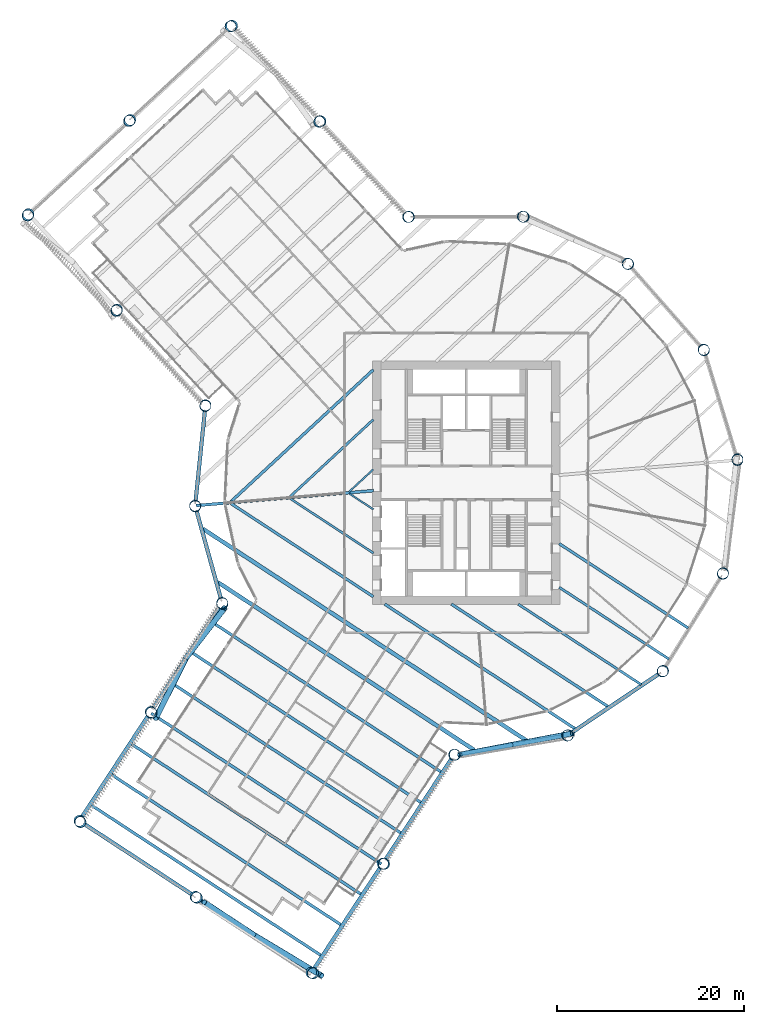
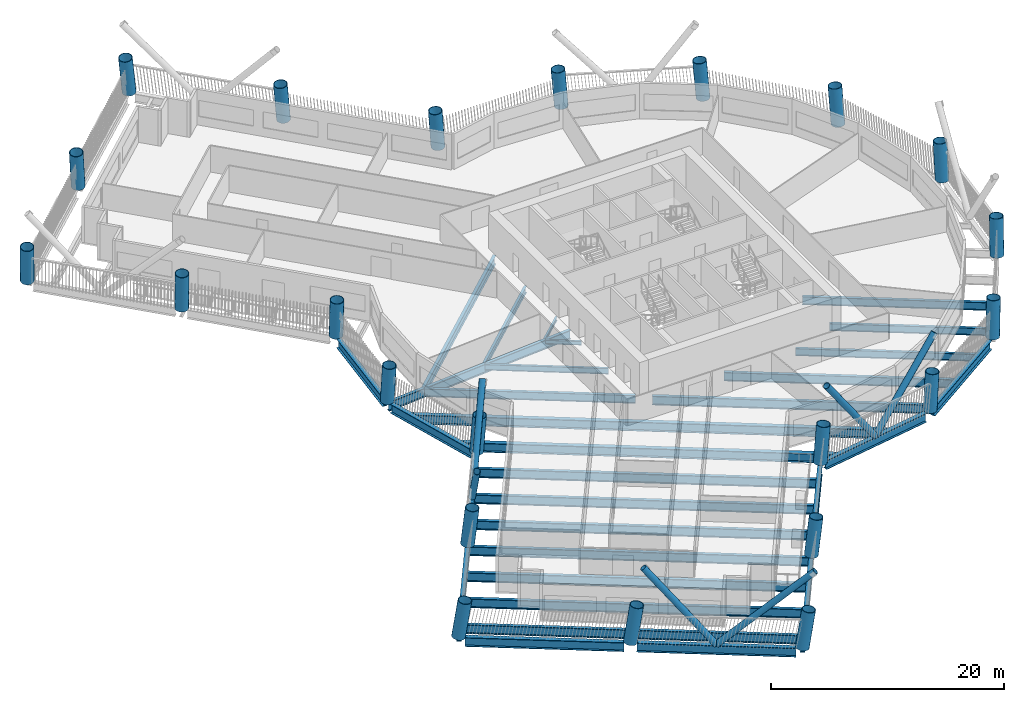
# One storey, part 1 of 22: 31 beams, 22 columns, 6 members.
"""IFC4 building model written with IfcOpenShell, lengths in metres."""

from ifc_helpers import new_model, si_unit, direction, frame, origin, origin_2d, place, context, subcontext, project, spatial, hollow_circle, i_section, extrude, material, material_profile, profile_set, type_object, element, save


model = new_model("IFC4")

# Units and contexts
model_context = context("Model", 3, precision=1e-05, world=origin(), true_north=direction((0.0, 1.0)))
body_context = subcontext(model_context, "Body", "Model", "MODEL_VIEW")
ifc_project = project(units=[si_unit("LENGTHUNIT", "METRE"), si_unit("AREAUNIT", "SQUARE_METRE"), si_unit("VOLUMEUNIT", "CUBIC_METRE"), si_unit("PLANEANGLEUNIT", "RADIAN"), si_unit("MASSUNIT", "GRAM", prefix="KILO")], contexts=[model_context])

# Site, building, storey
site_placement = place(None, origin())
site = spatial("IfcSite", under=ifc_project, at=site_placement, CompositionType="ELEMENT")
building_placement = place(site_placement, origin())
building = spatial("IfcBuilding", under=site, at=building_placement, Name="Tarsis Ring Headquarters", CompositionType="ELEMENT")
storey_placement = place(building_placement, frame((0.0, 0.0, 63.39990234375)))
storey = spatial("IfcBuildingStorey", under=building, at=storey_placement, Name="L13", CompositionType="ELEMENT", Elevation=63.39990234375)

# Columns
ifc_material_1 = material(Name="Structural steel S460", Category="steel")
ifc_material_profile_1 = material_profile(ifc_material_1, hollow_circle(Radius=0.609619140625, WallThickness=0.050048828125, at=origin_2d()), Name="CHS 1219x50")
ifc_profile_set_1 = profile_set([ifc_material_profile_1], Name="Structural steel S460")
column_type = type_object("IfcColumnType", Name="XC Exo column CHS 1219x50", PredefinedType="COLUMN", material=ifc_profile_set_1)
for number, where, z_axis, x_axis, name in (
    (1, (-28.946533203125, -2.4306640625, 0.000732421875), (0.006867477499, -0.077477632509, 0.996970437984), (0.996094632746, 0.0882920303, 0.0), "Exo column XC1 F1"),
    (2, (-26.07080078125, -12.8115234375, 0.000732421875), (0.034711964999, -0.069611224773, 0.996970088253), (0.894908237416, 0.446250206281, 0.0), "Exo column XC1 AK"),
):
    element("IfcColumn", number, at=place(storey_placement, frame(where, z_axis=z_axis, x_axis=x_axis)), inside=storey, type_object=column_type, Name=name, PredefinedType="COLUMN", context=body_context, shape_type="SweptSolid", body=[
        extrude(hollow_circle(Radius=0.609619140625, WallThickness=0.050048828125, at=origin_2d()), origin(), (0.0, 0.0, 1.0), 3.91064453125),
    ])
column_1_placement = place(storey_placement, frame((-33.68310546875, -24.4443359375, 0.0009765625), z_axis=(0.065722945464, -0.089559960723, 0.993810599599), x_axis=(0.806209023764, 0.591630805487, 0.0)))
element("IfcColumn", 3, at=column_1_placement, inside=storey, type_object=column_type, Name="Exo column XC1 AI1", PredefinedType="COLUMN", context=body_context, shape_type="SweptSolid", body=[
    extrude(hollow_circle(Radius=0.609619140625, WallThickness=0.050048828125, at=origin_2d()), origin(), (0.0, 0.0, 1.0), 3.922607421875),
])
column_2_placement = place(storey_placement, frame((-41.29541015625, -36.077392578125, 0.0009765625), z_axis=(0.096411760484, -0.109175785329, 0.989335848101), x_axis=(0.749564671148, 0.661931117086, 0.0)))
element("IfcColumn", 4, at=column_2_placement, inside=storey, type_object=column_type, Name="Exo column XC1 AT1", PredefinedType="COLUMN", context=body_context, shape_type="SweptSolid", body=[
    extrude(hollow_circle(Radius=0.609619140625, WallThickness=0.050048828125, at=origin_2d()), origin(), (0.0, 0.0, 1.0), 3.940185546875),
])
column_3_placement = place(storey_placement, frame((-28.9111328125, -44.18115234375, 0.0009765625), z_axis=(0.117817594443, -0.076271390087, 0.990101858141), x_axis=(0.543434457487, 0.839451600996, 0.0)))
element("IfcColumn", 5, at=column_3_placement, inside=storey, type_object=column_type, Name="Exo column XC1 AT2", PredefinedType="COLUMN", context=body_context, shape_type="SweptSolid", body=[
    extrude(hollow_circle(Radius=0.609619140625, WallThickness=0.050048828125, at=origin_2d()), origin(), (0.0, 0.0, 1.0), 3.937255859375),
])
column_4_placement = place(storey_placement, frame((-16.527099609375, -52.28515625, 0.0009765625), z_axis=(0.139103071883, -0.043187011627, 0.989335745548), x_axis=(0.29650625598, 0.955030910581, 0.0)))
element("IfcColumn", 6, at=column_4_placement, inside=storey, type_object=column_type, Name="Exo column XC1 AT3", PredefinedType="COLUMN", context=body_context, shape_type="SweptSolid", body=[
    extrude(hollow_circle(Radius=0.609619140625, WallThickness=0.050048828125, at=origin_2d()), origin(), (0.0, 0.0, 1.0), 3.940185546875),
])
column_5_placement = place(storey_placement, frame((-8.914794921875, -40.652099609375, 0.0009765625), z_axis=(0.108604878961, -0.023276919617, 0.993812439688), x_axis=(0.209567355728, 0.977794213223, 0.0)))
element("IfcColumn", 7, at=column_5_placement, inside=storey, type_object=column_type, Name="Exo column XC1 AO1", PredefinedType="COLUMN", context=body_context, shape_type="SweptSolid", body=[
    extrude(hollow_circle(Radius=0.609619140625, WallThickness=0.050048828125, at=origin_2d()), origin(), (0.0, 0.0, 1.0), 3.922607421875),
])
column_6_placement = place(storey_placement, frame((-1.302490234375, -29.019287109375, 0.000732421875), z_axis=(0.077727321851, -0.003059147607, 0.996969961962), x_axis=(0.039326982614, 0.999226394987, 0.0)))
element("IfcColumn", 8, at=column_6_placement, inside=storey, type_object=column_type, Name="Exo column XC1 AJ", PredefinedType="COLUMN", context=body_context, shape_type="SweptSolid", body=[
    extrude(hollow_circle(Radius=0.609619140625, WallThickness=0.050048828125, at=origin_2d()), origin(), (0.0, 0.0, 1.0), 3.91064453125),
])
column_7_placement = place(storey_placement, frame((10.77490234375, -26.976318359375, 0.000732421875), z_axis=(0.072046284451, 0.02921807723, 0.996973237785), x_axis=(-0.375816945489, 0.926693921143, 0.0)))
element("IfcColumn", 9, at=column_7_placement, inside=storey, type_object=column_type, Name="Exo column XC1 R1", PredefinedType="COLUMN", context=body_context, shape_type="SweptSolid", body=[
    extrude(hollow_circle(Radius=0.609619140625, WallThickness=0.050048828125, at=origin_2d()), origin(), (0.0, 0.0, 1.0), 3.910400390625),
])
column_8_placement = place(storey_placement, frame((20.936279296875, -20.13671875, 0.000732421875), z_axis=(0.053628828846, 0.056313391874, 0.996971790279), x_axis=(-0.724157023143, 0.689635125144, 0.0)))
element("IfcColumn", 10, at=column_8_placement, inside=storey, type_object=column_type, Name="Exo column XC1 R2", PredefinedType="COLUMN", context=body_context, shape_type="SweptSolid", body=[
    extrude(hollow_circle(Radius=0.609619140625, WallThickness=0.050048828125, at=origin_2d()), origin(), (0.0, 0.0, 1.0), 3.91064453125),
])
column_9_placement = place(storey_placement, frame((27.375244140625, -9.716796875, 0.000732421875), z_axis=(0.025597016709, 0.073419735732, 0.996972584949), x_axis=(-0.944258238661, 0.329205678445, 0.0)))
element("IfcColumn", 11, at=column_9_placement, inside=storey, type_object=column_type, Name="Exo column XC1 R3", PredefinedType="COLUMN", context=body_context, shape_type="SweptSolid", body=[
    extrude(hollow_circle(Radius=0.609619140625, WallThickness=0.050048828125, at=origin_2d()), origin(), (0.0, 0.0, 1.0), 3.910400390625),
])
column_10_placement = place(storey_placement, frame((28.946533203125, 2.4306640625, 0.000732421875), z_axis=(-0.006867477499, 0.077477632509, 0.996970437984), x_axis=(-0.996094632746, -0.0882920303, 0.0)))
element("IfcColumn", 12, at=column_10_placement, inside=storey, type_object=column_type, Name="Exo column XC1 R4", PredefinedType="COLUMN", context=body_context, shape_type="SweptSolid", body=[
    extrude(hollow_circle(Radius=0.609619140625, WallThickness=0.050048828125, at=origin_2d()), origin(), (0.0, 0.0, 1.0), 3.91064453125),
])
column_11_placement = place(storey_placement, frame((25.371337890625, 14.146240234375, 0.000732421875), z_axis=(-0.038270680288, 0.067676048014, 0.996973072633), x_axis=(-0.870458129168, -0.492242466033, 0.0)))
element("IfcColumn", 13, at=column_11_placement, inside=storey, type_object=column_type, Name="Exo column XC1 R5", PredefinedType="COLUMN", context=body_context, shape_type="SweptSolid", body=[
    extrude(hollow_circle(Radius=0.609619140625, WallThickness=0.050048828125, at=origin_2d()), origin(), (0.0, 0.0, 1.0), 3.910400390625),
])
for number, where, z_axis, x_axis, name in (
    (14, (17.284912109375, 23.346435546875, 0.000732421875), (-0.062743827942, 0.045949708821, 0.996971331742), (-0.590841504739, -0.806787652531, 0.0), "Exo column XC1 R6"),
    (15, (6.125, 28.3955078125, 0.000732421875), (-0.076104238458, 0.015982514393, 0.996971766964), (-0.205524923503, -0.978651881835, 0.0), "Exo column XC1 R7"),
):
    element("IfcColumn", number, at=place(storey_placement, frame(where, z_axis=z_axis, x_axis=x_axis)), inside=storey, type_object=column_type, Name=name, PredefinedType="COLUMN", context=body_context, shape_type="SweptSolid", body=[
        extrude(hollow_circle(Radius=0.609619140625, WallThickness=0.050048828125, at=origin_2d()), origin(), (0.0, 0.0, 1.0), 3.91064453125),
    ])
column_12_placement = place(storey_placement, frame((-6.123779296875, 28.395751953125, 0.000732421875), z_axis=(-0.075917014384, -0.016794142162, 0.996972699584), x_axis=(0.21599515075, -0.976394436103, 0.0)))
element("IfcColumn", 16, at=column_12_placement, inside=storey, type_object=column_type, Name="Exo column XC1 BJ", PredefinedType="COLUMN", context=body_context, shape_type="SweptSolid", body=[
    extrude(hollow_circle(Radius=0.609619140625, WallThickness=0.050048828125, at=origin_2d()), origin(), (0.0, 0.0, 1.0), 3.910400390625),
])
column_13_placement = place(storey_placement, frame((-15.569580078125, 38.59619140625, 0.0009765625), z_axis=(-0.102754952884, -0.042072894094, 0.993816527957), x_axis=(0.378916563953, -0.925430838886, 0.0)))
element("IfcColumn", 17, at=column_13_placement, inside=storey, type_object=column_type, Name="Exo column XC1 BO1", PredefinedType="COLUMN", context=body_context, shape_type="SweptSolid", body=[
    extrude(hollow_circle(Radius=0.609619140625, WallThickness=0.050048828125, at=origin_2d()), origin(), (0.0, 0.0, 1.0), 3.922607421875),
])
column_14_placement = place(storey_placement, frame((-25.015380859375, 48.796630859375, 0.0009765625), z_axis=(-0.129312000512, -0.067165408987, 0.989326646947), x_axis=(0.460937642205, -0.887432527012, 0.0)))
element("IfcColumn", 18, at=column_14_placement, inside=storey, type_object=column_type, Name="Exo column XC1 BT3", PredefinedType="COLUMN", context=body_context, shape_type="SweptSolid", body=[
    extrude(hollow_circle(Radius=0.609619140625, WallThickness=0.050048828125, at=origin_2d()), origin(), (0.0, 0.0, 1.0), 3.940185546875),
])
column_15_placement = place(storey_placement, frame((-35.87451171875, 38.740966796875, 0.0009765625), z_axis=(-0.102500771543, -0.095927824306, 0.990096684348), x_axis=(0.683309086055, -0.730129230284, 0.0)))
element("IfcColumn", 19, at=column_15_placement, inside=storey, type_object=column_type, Name="Exo column XC1 BT2", PredefinedType="COLUMN", context=body_context, shape_type="SweptSolid", body=[
    extrude(hollow_circle(Radius=0.609619140625, WallThickness=0.050048828125, at=origin_2d()), origin(), (0.0, 0.0, 1.0), 3.937255859375),
])
column_16_placement = place(storey_placement, frame((-46.73388671875, 28.68505859375, 0.0009765625), z_axis=(-0.075530766475, -0.124542116994, 0.989335314446), x_axis=(0.855043520208, -0.518556244345, 0.0)))
element("IfcColumn", 20, at=column_16_placement, inside=storey, type_object=column_type, Name="Exo column XC1 BT1", PredefinedType="COLUMN", context=body_context, shape_type="SweptSolid", body=[
    extrude(hollow_circle(Radius=0.609619140625, WallThickness=0.050048828125, at=origin_2d()), origin(), (0.0, 0.0, 1.0), 3.940185546875),
])
column_17_placement = place(storey_placement, frame((-37.2880859375, 18.484619140625, 0.0009765625), z_axis=(-0.048794458446, -0.099767240929, 0.993813663854), x_axis=(0.898315556708, -0.439350839962, 0.0)))
element("IfcColumn", 21, at=column_17_placement, inside=storey, type_object=column_type, Name="Exo column XC1 BI1", PredefinedType="COLUMN", context=body_context, shape_type="SweptSolid", body=[
    extrude(hollow_circle(Radius=0.609619140625, WallThickness=0.050048828125, at=origin_2d()), origin(), (0.0, 0.0, 1.0), 3.922607421875),
])
column_18_placement = place(storey_placement, frame((-27.84228515625, 8.2841796875, 0.000732421875), z_axis=(-0.021788631627, -0.074668204657, 0.996970368038), x_axis=(0.959964033565, -0.280123284042, 0.0)))
element("IfcColumn", 22, at=column_18_placement, inside=storey, type_object=column_type, Name="Exo column XC1 BK", PredefinedType="COLUMN", context=body_context, shape_type="SweptSolid", body=[
    extrude(hollow_circle(Radius=0.609619140625, WallThickness=0.050048828125, at=origin_2d()), origin(), (0.0, 0.0, 1.0), 3.91064453125),
])

# Beams
ifc_material_2 = material(Name="Structural steel S355", Category="steel")
ifc_material_profile_2 = material_profile(ifc_material_2, i_section(OverallWidth=0.177734375, OverallDepth=0.406494140625, WebThickness=0.0078125, FlangeThickness=0.0126953125, at=origin_2d()), Name="W16x40")
ifc_profile_set_2 = profile_set([ifc_material_profile_2], Name="Structural steel S355")
beam_type_1 = type_object("IfcBeamType", Name="FB Floor beam W16x40", PredefinedType="JOIST", material=ifc_profile_set_2)
beam_1_placement = place(storey_placement, frame((-12.498046875, -1.143310546875, -0.363037109375), z_axis=(0.83680368874, -0.547503047034, 0.0), x_axis=(0.547503047034, 0.83680368874, 0.0)))
element("IfcBeam", 23, at=beam_1_placement, inside=storey, type_object=beam_type_1, Name="Floor beam FB1", PredefinedType="JOIST", context=body_context, shape_type="SweptSolid", body=[
    extrude(i_section(OverallWidth=0.177734375, OverallDepth=0.406494140625, WebThickness=0.0078125, FlangeThickness=0.0126953125, at=origin_2d()), origin(), (0.0, 0.0, 1.0), 3.085205078125),
])
beam_2_placement = place(storey_placement, frame((-9.926513671875, 1.4384765625, -0.363037109375), z_axis=(-0.733761952496, -0.67940665074, 0.0), x_axis=(0.67940665074, -0.733761952496, 0.0)))
element("IfcBeam", 24, at=beam_2_placement, inside=storey, type_object=beam_type_1, Name="Floor beam FB1", PredefinedType="JOIST", context=body_context, shape_type="SweptSolid", body=[
    extrude(i_section(OverallWidth=0.177734375, OverallDepth=0.406494140625, WebThickness=0.0078125, FlangeThickness=0.0126953125, at=origin_2d()), origin(), (0.0, 0.0, 1.0), 3.52587890625),
])
ifc_material_profile_3 = material_profile(ifc_material_2, i_section(OverallWidth=0.228271484375, OverallDepth=0.607177734375, WebThickness=0.01123046875, FlangeThickness=0.017333984375, at=origin_2d()), Name="W24x76")
ifc_profile_set_3 = profile_set([ifc_material_profile_3], Name="Structural steel S355")
beam_type_2 = type_object("IfcBeamType", Name="FB Floor beam W24x76", PredefinedType="JOIST", material=ifc_profile_set_3)
beam_3_placement = place(storey_placement, frame((-18.810302734375, -1.67333984375, -0.46337890625), z_axis=(0.836765618493, -0.547561229186, 0.0), x_axis=(0.547561229186, 0.836765618493, 0.0)))
element("IfcBeam", 25, at=beam_3_placement, inside=storey, type_object=beam_type_2, Name="Floor beam FB4", PredefinedType="JOIST", context=body_context, shape_type="SweptSolid", body=[
    extrude(i_section(OverallWidth=0.228271484375, OverallDepth=0.607177734375, WebThickness=0.01123046875, FlangeThickness=0.017333984375, at=origin_2d()), origin(), (0.0, 0.0, 1.0), 10.629150390625),
])
ifc_material_profile_4 = material_profile(ifc_material_2, i_section(OverallWidth=0.2529296875, OverallDepth=0.67822265625, WebThickness=0.01171875, FlangeThickness=0.016357421875, at=origin_2d()), Name="W27x84")
ifc_profile_set_4 = profile_set([ifc_material_profile_4], Name="Structural steel S355")
beam_type_3 = type_object("IfcBeamType", Name="FB Floor beam W27x84", PredefinedType="JOIST", material=ifc_profile_set_4)
beam_4_placement = place(storey_placement, frame((-9.926513671875, 6.753662109375, -0.4990234375), z_axis=(-0.733739117576, -0.679431311715, 0.0), x_axis=(0.679431311715, -0.733739117576, 0.0)))
element("IfcBeam", 26, at=beam_4_placement, inside=storey, type_object=beam_type_3, Name="Floor beam FB5", PredefinedType="JOIST", context=body_context, shape_type="SweptSolid", body=[
    extrude(i_section(OverallWidth=0.2529296875, OverallDepth=0.67822265625, WebThickness=0.01171875, FlangeThickness=0.016357421875, at=origin_2d()), origin(), (0.0, 0.0, 1.0), 12.12890625),
])
ifc_material_profile_5 = material_profile(ifc_material_2, i_section(OverallWidth=0.2666015625, OverallDepth=0.7568359375, WebThickness=0.013916015625, FlangeThickness=0.019287109375, at=origin_2d()), Name="W30x108")
ifc_profile_set_5 = profile_set([ifc_material_profile_5], Name="Structural steel S355")
beam_type_4 = type_object("IfcBeamType", Name="FB Floor beam W30x108", PredefinedType="JOIST", material=ifc_profile_set_5)
beam_5_placement = place(storey_placement, frame((9.916259765625, -11.14990234375, -0.538330078125), z_axis=(0.836766058731, -0.547560556428, 0.0), x_axis=(0.547560556428, 0.836766058731, 0.0)))
element("IfcBeam", 27, at=beam_5_placement, inside=storey, type_object=beam_type_4, Name="Floor beam FB6", PredefinedType="JOIST", context=body_context, shape_type="SweptSolid", body=[
    extrude(i_section(OverallWidth=0.2666015625, OverallDepth=0.7568359375, WebThickness=0.013916015625, FlangeThickness=0.019287109375, at=origin_2d()), origin(), (0.0, 0.0, 1.0), 13.991455078125),
])
beam_6_placement = place(storey_placement, frame((5.53759765625, -12.9453125, -0.538330078125), z_axis=(0.836764316998, -0.547563218085, 0.0), x_axis=(0.547563218085, 0.836764316998, 0.0)))
element("IfcBeam", 28, at=beam_6_placement, inside=storey, type_object=beam_type_4, Name="Floor beam FB6", PredefinedType="JOIST", context=body_context, shape_type="SweptSolid", body=[
    extrude(i_section(OverallWidth=0.2666015625, OverallDepth=0.7568359375, WebThickness=0.013916015625, FlangeThickness=0.019287109375, at=origin_2d()), origin(), (0.0, 0.0, 1.0), 15.6748046875),
])
ifc_material_profile_6 = material_profile(ifc_material_2, i_section(OverallWidth=0.2919921875, OverallDepth=0.835693359375, WebThickness=0.013916015625, FlangeThickness=0.018798828125, at=origin_2d()), Name="W33x118")
ifc_profile_set_6 = profile_set([ifc_material_profile_6], Name="Structural steel S355")
beam_type_5 = type_object("IfcBeamType", Name="FB Floor beam W33x118", PredefinedType="JOIST", material=ifc_profile_set_6)
beam_7_placement = place(storey_placement, frame((9.916259765625, -6.489013671875, -0.57763671875), z_axis=(0.836764478582, -0.547562971158, 0.0), x_axis=(0.547562971158, 0.836764478582, 0.0)))
element("IfcBeam", 29, at=beam_7_placement, inside=storey, type_object=beam_type_5, Name="Floor beam FB7", PredefinedType="JOIST", context=body_context, shape_type="SweptSolid", body=[
    extrude(i_section(OverallWidth=0.2919921875, OverallDepth=0.835693359375, WebThickness=0.013916015625, FlangeThickness=0.018798828125, at=origin_2d()), origin(), (0.0, 0.0, 1.0), 16.4423828125),
])
beam_8_placement = place(storey_placement, frame((-25.122802734375, -2.203369140625, -0.57763671875), z_axis=(0.836763182726, -0.547564951429, 0.0), x_axis=(0.547564951429, 0.836763182726, 0.0)))
element("IfcBeam", 30, at=beam_8_placement, inside=storey, type_object=beam_type_5, Name="Floor beam FB7", PredefinedType="JOIST", context=body_context, shape_type="SweptSolid", body=[
    extrude(i_section(OverallWidth=0.2919921875, OverallDepth=0.835693359375, WebThickness=0.013916015625, FlangeThickness=0.018798828125, at=origin_2d()), origin(), (0.0, 0.0, 1.0), 18.173095703125),
])
ifc_material_profile_7 = material_profile(ifc_material_2, i_section(OverallWidth=0.3046875, OverallDepth=0.904296875, WebThickness=0.01513671875, FlangeThickness=0.02001953125, at=origin_2d()), Name="W36x135")
ifc_profile_set_7 = profile_set([ifc_material_profile_7], Name="Structural steel S355")
beam_type_6 = type_object("IfcBeamType", Name="FB Floor beam W36x135", PredefinedType="JOIST", material=ifc_profile_set_7)
beam_9_placement = place(storey_placement, frame((-1.5849609375, -12.9453125, -0.612060546875), z_axis=(0.836765815558, -0.547560928038, 0.0), x_axis=(0.547560928038, 0.836765815558, 0.0)))
element("IfcBeam", 31, at=beam_9_placement, inside=storey, type_object=beam_type_6, Name="Floor beam FB8", PredefinedType="JOIST", context=body_context, shape_type="SweptSolid", body=[
    extrude(i_section(OverallWidth=0.3046875, OverallDepth=0.904296875, WebThickness=0.01513671875, FlangeThickness=0.02001953125, at=origin_2d()), origin(), (0.0, 0.0, 1.0), 19.990966796875),
])
beam_10_placement = place(storey_placement, frame((-9.926513671875, 12.069091796875, -0.612060546875), z_axis=(-0.733728928897, -0.679442314623, 0.0), x_axis=(0.679442314623, -0.733728928897, 0.0)))
element("IfcBeam", 32, at=beam_10_placement, inside=storey, type_object=beam_type_6, Name="Floor beam FB8", PredefinedType="JOIST", context=body_context, shape_type="SweptSolid", body=[
    extrude(i_section(OverallWidth=0.3046875, OverallDepth=0.904296875, WebThickness=0.01513671875, FlangeThickness=0.02001953125, at=origin_2d()), origin(), (0.0, 0.0, 1.0), 20.732421875),
])
ifc_material_profile_8 = material_profile(ifc_material_2, i_section(OverallWidth=0.309814453125, OverallDepth=0.93212890625, WebThickness=0.02099609375, FlangeThickness=0.034423828125, at=origin_2d()), Name="W36x210")
ifc_profile_set_8 = profile_set([ifc_material_profile_8], Name="Structural steel S355")
beam_type_7 = type_object("IfcBeamType", Name="FB Floor beam W36x210", PredefinedType="JOIST", material=ifc_profile_set_8)
beam_11_placement = place(storey_placement, frame((-8.70751953125, -12.9453125, -0.6259765625), z_axis=(0.836766781932, -0.547559451252, 0.0), x_axis=(0.547559451252, 0.836766781932, 0.0)))
element("IfcBeam", 33, at=beam_11_placement, inside=storey, type_object=beam_type_7, Name="Floor beam FB10", PredefinedType="JOIST", context=body_context, shape_type="SweptSolid", body=[
    extrude(i_section(OverallWidth=0.309814453125, OverallDepth=0.93212890625, WebThickness=0.02099609375, FlangeThickness=0.034423828125, at=origin_2d()), origin(), (0.0, 0.0, 1.0), 24.30712890625),
])
ifc_material_profile_9 = material_profile(ifc_material_2, i_section(OverallWidth=0.309814453125, OverallDepth=0.949951171875, WebThickness=0.0244140625, FlangeThickness=0.0439453125, at=origin_2d()), Name="W36x256")
ifc_profile_set_9 = profile_set([ifc_material_profile_9], Name="Structural steel S355")
beam_type_8 = type_object("IfcBeamType", Name="FB Floor beam W36x256", PredefinedType="JOIST", material=ifc_profile_set_9)
for number, where, z_axis, x_axis, name in (
    (34, (-27.23876953125, -14.801025390625, -0.635009765625), (0.836762236827, -0.547566396906, 0.0), (0.547566396906, 0.836762236827, 0.0), "Floor beam FB11"),
    (35, (-29.374267578125, -18.064453125, -0.635009765625), (0.836762236827, -0.547566396906, 0.0), (0.547566396906, 0.836762236827, 0.0), "Floor beam FB11"),
    (36, (-31.509765625, -21.327880859375, -0.635009765625), (0.836762236827, -0.547566396906, 0.0), (0.547566396906, 0.836762236827, 0.0), "Floor beam FB11"),
    (37, (-33.645263671875, -24.59130859375, -0.635009765625), (0.836766044755, -0.547560577786, 0.0), (0.547560577786, 0.836766044755, 0.0), "Floor beam FB11"),
    (38, (-35.78076171875, -27.854736328125, -0.635009765625), (0.836766044755, -0.547560577786, 0.0), (0.547560577786, 0.836766044755, 0.0), "Floor beam FB11"),
    (39, (-37.916259765625, -31.117919921875, -0.635009765625), (0.836762236827, -0.547566396906, 0.0), (0.547566396906, 0.836762236827, 0.0), "Floor beam FB11"),
    (40, (-40.0517578125, -34.38134765625, -0.635009765625), (0.836762236827, -0.547566396906, 0.0), (0.547566396906, 0.836762236827, 0.0), "Floor beam FB11"),
):
    element("IfcBeam", number, at=place(storey_placement, frame(where, z_axis=z_axis, x_axis=x_axis)), inside=storey, type_object=beam_type_8, Name=name, PredefinedType="JOIST", context=body_context, shape_type="SweptSolid", body=[
        extrude(i_section(OverallWidth=0.309814453125, OverallDepth=0.949951171875, WebThickness=0.0244140625, FlangeThickness=0.0439453125, at=origin_2d()), origin(), (0.0, 0.0, 1.0), 29.375732421875),
    ])
beam_type_9 = type_object("IfcBeamType", Name="FB Floor beam W36x256 spine", PredefinedType="BEAM", material=ifc_profile_set_9)
beam_12_placement = place(storey_placement, frame((-9.900390625, -0.831298828125, -0.635009765625), z_axis=(-0.996492108771, -0.083686780056, 0.0), x_axis=(0.083686780056, -0.996492108771, 0.0)))
element("IfcBeam", 41, at=beam_12_placement, inside=storey, type_object=beam_type_9, Name="Floor beam SB11", PredefinedType="BEAM", context=body_context, shape_type="SweptSolid", body=[
    extrude(i_section(OverallWidth=0.309814453125, OverallDepth=0.949951171875, WebThickness=0.0244140625, FlangeThickness=0.0439453125, at=origin_2d()), origin(), (0.0, 0.0, 1.0), 18.99755859375),
])
ifc_material_profile_10 = material_profile(ifc_material_2, i_section(OverallWidth=0.42431640625, OverallDepth=0.947509765625, WebThickness=0.02392578125, FlangeThickness=0.042724609375, at=origin_2d()), Name="W36x302")
ifc_profile_set_10 = profile_set([ifc_material_profile_10], Name="Structural steel S355")
beam_type_10 = type_object("IfcBeamType", Name="FB Floor beam W36x302", PredefinedType="JOIST", material=ifc_profile_set_10)
beam_13_placement = place(storey_placement, frame((-28.10791015625, -4.91064453125, -0.633544921875), z_axis=(0.83676289692, -0.547565388185, 0.0), x_axis=(0.547565388185, 0.83676289692, 0.0)))
element("IfcBeam", 42, at=beam_13_placement, inside=storey, type_object=beam_type_10, Name="Floor beam FB12", PredefinedType="JOIST", context=body_context, shape_type="SweptSolid", body=[
    extrude(i_section(OverallWidth=0.42431640625, OverallDepth=0.947509765625, WebThickness=0.02392578125, FlangeThickness=0.042724609375, at=origin_2d()), origin(), (0.0, 0.0, 1.0), 41.353271484375),
])
beam_14_placement = place(storey_placement, frame((-26.53076171875, -10.603515625, -0.633544921875), z_axis=(0.836761902306, -0.547566908102, 0.0), x_axis=(0.547566908102, 0.836761902306, 0.0)))
element("IfcBeam", 43, at=beam_14_placement, inside=storey, type_object=beam_type_10, Name="Floor beam FB12", PredefinedType="JOIST", context=body_context, shape_type="SweptSolid", body=[
    extrude(i_section(OverallWidth=0.42431640625, OverallDepth=0.947509765625, WebThickness=0.02392578125, FlangeThickness=0.042724609375, at=origin_2d()), origin(), (0.0, 0.0, 1.0), 32.70458984375),
])

# Members
ifc_material_profile_11 = material_profile(ifc_material_2, hollow_circle(Radius=0.3046875, WallThickness=0.02490234375, at=origin_2d()), Name="CHS 610x25")
ifc_profile_set_11 = profile_set([ifc_material_profile_11], Name="Structural steel S355")
member_type = type_object("IfcMemberType", Name="XD X brace CHS 610x25", PredefinedType="BRACE", material=ifc_profile_set_11)
member_1_placement = place(storey_placement, frame((-29.876953125, -18.6279296875, 0.0), z_axis=(-0.307698551525, -0.610026148611, 0.730198397287), x_axis=(0.892849451239, -0.450355256904, 0.0)))
element("IfcMember", 44, at=member_1_placement, inside=storey, type_object=member_type, Name="X brace XD1", PredefinedType="BRACE", context=body_context, shape_type="SweptSolid", body=[
    extrude(hollow_circle(Radius=0.3046875, WallThickness=0.02490234375, at=origin_2d()), origin(), (0.0, 0.0, 1.0), 10.68212890625),
])
member_2_placement = place(storey_placement, frame((-29.876953125, -18.6279296875, 0.0), z_axis=(0.397633052114, 0.513903783023, 0.76012555388), x_axis=(-0.790893485164, 0.611953834146, 0.0)))
element("IfcMember", 45, at=member_2_placement, inside=storey, type_object=member_type, Name="X brace XD1", PredefinedType="BRACE", context=body_context, shape_type="SweptSolid", body=[
    extrude(hollow_circle(Radius=0.3046875, WallThickness=0.02490234375, at=origin_2d()), origin(), (0.0, 0.0, 1.0), 10.261474609375),
])
member_3_placement = place(storey_placement, frame((-22.71923828125, -48.233154296875, 0.0), z_axis=(0.631614195526, -0.380021842175, 0.675756544534), x_axis=(0.515546077951, 0.856861856725, 0.0)))
element("IfcMember", 46, at=member_3_placement, inside=storey, type_object=member_type, Name="X brace XD1", PredefinedType="BRACE", context=body_context, shape_type="SweptSolid", body=[
    extrude(hollow_circle(Radius=0.3046875, WallThickness=0.02490234375, at=origin_2d()), origin(), (0.0, 0.0, 1.0), 11.542724609375),
])
member_4_placement = place(storey_placement, frame((-22.71923828125, -48.233154296875, 0.0), z_axis=(-0.524845085423, 0.344838347535, 0.778218574937), x_axis=(-0.549111322963, -0.835749217764, 0.0)))
element("IfcMember", 47, at=member_4_placement, inside=storey, type_object=member_type, Name="X brace XD1", PredefinedType="BRACE", context=body_context, shape_type="SweptSolid", body=[
    extrude(hollow_circle(Radius=0.3046875, WallThickness=0.02490234375, at=origin_2d()), origin(), (0.0, 0.0, 1.0), 10.02294921875),
])
member_5_placement = place(storey_placement, frame((4.736083984375, -27.997802734375, 0.0), z_axis=(0.641211169091, 0.12172554203, 0.757648420477), x_axis=(-0.186505990479, 0.982453823605, 0.0)))
element("IfcMember", 48, at=member_5_placement, inside=storey, type_object=member_type, Name="X brace XD1", PredefinedType="BRACE", context=body_context, shape_type="SweptSolid", body=[
    extrude(hollow_circle(Radius=0.3046875, WallThickness=0.02490234375, at=origin_2d()), origin(), (0.0, 0.0, 1.0), 10.295166015625),
])
member_6_placement = place(storey_placement, frame((4.736083984375, -27.997802734375, 0.0), z_axis=(-0.567980187126, -0.109030543024, 0.815788482219), x_axis=(0.188519880658, -0.982069373617, 0.0)))
element("IfcMember", 49, at=member_6_placement, inside=storey, type_object=member_type, Name="X brace XD1", PredefinedType="BRACE", context=body_context, shape_type="SweptSolid", body=[
    extrude(hollow_circle(Radius=0.3046875, WallThickness=0.02490234375, at=origin_2d()), origin(), (0.0, 0.0, 1.0), 9.561279296875),
])

# Beams
beam_type_11 = type_object("IfcBeamType", Name="XG Ring girder W36x302", PredefinedType="BEAM", material=ifc_profile_set_10)
beam_15_placement = place(storey_placement, frame((-28.800048828125, -2.95947265625, -0.4736328125), z_axis=(0.266969590086, -0.963704953795, 0.0), x_axis=(0.963704953795, 0.266969590086, 0.0)))
element("IfcBeam", 50, at=beam_15_placement, inside=storey, type_object=beam_type_11, Name="Ring girder XG1", PredefinedType="BEAM", context=body_context, shape_type="SweptSolid", body=[
    extrude(i_section(OverallWidth=0.42431640625, OverallDepth=0.947509765625, WebThickness=0.02392578125, FlangeThickness=0.042724609375, at=origin_2d()), origin(), (0.0, 0.0, 1.0), 9.67431640625),
])
beam_16_placement = place(storey_placement, frame((-26.37109375, -13.2705078125, -0.4736328125), z_axis=(-0.547556515969, -0.836768702701, 0.0), x_axis=(0.836768702701, -0.547556515969, 0.0)))
element("IfcBeam", 51, at=beam_16_placement, inside=storey, type_object=beam_type_11, Name="Ring girder XG1", PredefinedType="BEAM", context=body_context, shape_type="SweptSolid", body=[
    extrude(i_section(OverallWidth=0.42431640625, OverallDepth=0.947509765625, WebThickness=0.02392578125, FlangeThickness=0.042724609375, at=origin_2d()), origin(), (0.0, 0.0, 1.0), 12.804931640625),
])
beam_17_placement = place(storey_placement, frame((-33.9833984375, -24.9033203125, -0.4736328125), z_axis=(-0.547569865429, -0.83675996706, 0.0), x_axis=(0.83675996706, -0.547569865429, 0.0)))
element("IfcBeam", 52, at=beam_17_placement, inside=storey, type_object=beam_type_11, Name="Ring girder XG1", PredefinedType="BEAM", context=body_context, shape_type="SweptSolid", body=[
    extrude(i_section(OverallWidth=0.42431640625, OverallDepth=0.947509765625, WebThickness=0.02392578125, FlangeThickness=0.042724609375, at=origin_2d()), origin(), (0.0, 0.0, 1.0), 12.80517578125),
])
beam_18_placement = place(storey_placement, frame((-40.83642578125, -36.377685546875, -0.4736328125), z_axis=(0.8367645978, -0.547562788974, 0.0), x_axis=(0.547562788974, 0.8367645978, 0.0)))
element("IfcBeam", 53, at=beam_18_placement, inside=storey, type_object=beam_type_11, Name="Ring girder XG1", PredefinedType="BEAM", context=body_context, shape_type="SweptSolid", body=[
    extrude(i_section(OverallWidth=0.42431640625, OverallDepth=0.947509765625, WebThickness=0.02392578125, FlangeThickness=0.042724609375, at=origin_2d()), origin(), (0.0, 0.0, 1.0), 13.702880859375),
])
beam_19_placement = place(storey_placement, frame((-28.4521484375, -44.481689453125, -0.4736328125), z_axis=(0.836767419253, -0.547558477312, 0.0), x_axis=(0.547558477312, 0.836767419253, 0.0)))
element("IfcBeam", 54, at=beam_19_placement, inside=storey, type_object=beam_type_11, Name="Ring girder XG1", PredefinedType="BEAM", context=body_context, shape_type="SweptSolid", body=[
    extrude(i_section(OverallWidth=0.42431640625, OverallDepth=0.947509765625, WebThickness=0.02392578125, FlangeThickness=0.042724609375, at=origin_2d()), origin(), (0.0, 0.0, 1.0), 13.70263671875),
])
for number, where, z_axis, x_axis, name in (
    (55, (-16.226806640625, -51.825927734375, -0.4736328125), (0.547565251705, 0.836762986231, 0.0), (-0.836762986231, 0.547565251705, 0.0), "Ring girder XG1"),
    (56, (-8.614501953125, -40.193115234375, -0.4736328125), (0.547556515969, 0.836768702701, 0.0), (-0.836768702701, 0.547556515969, 0.0), "Ring girder XG1"),
):
    element("IfcBeam", number, at=place(storey_placement, frame(where, z_axis=z_axis, x_axis=x_axis)), inside=storey, type_object=beam_type_11, Name=name, PredefinedType="BEAM", context=body_context, shape_type="SweptSolid", body=[
        extrude(i_section(OverallWidth=0.42431640625, OverallDepth=0.947509765625, WebThickness=0.02392578125, FlangeThickness=0.042724609375, at=origin_2d()), origin(), (0.0, 0.0, 1.0), 12.804931640625),
    ])
beam_20_placement = place(storey_placement, frame((-0.761474609375, -28.927734375, -0.4736328125), z_axis=(0.985994015168, 0.166780700481, 0.0), x_axis=(-0.166780700481, 0.985994015168, 0.0)))
element("IfcBeam", 57, at=beam_20_placement, inside=storey, type_object=beam_type_11, Name="Ring girder XG1", PredefinedType="BEAM", context=body_context, shape_type="SweptSolid", body=[
    extrude(i_section(OverallWidth=0.42431640625, OverallDepth=0.947509765625, WebThickness=0.02392578125, FlangeThickness=0.042724609375, at=origin_2d()), origin(), (0.0, 0.0, 1.0), 11.151611328125),
])
beam_21_placement = place(storey_placement, frame((11.22998046875, -26.669921875, -0.4736328125), z_axis=(0.829579946423, 0.558387958765, 0.0), x_axis=(-0.558387958765, 0.829579946423, 0.0)))
element("IfcBeam", 58, at=beam_21_placement, inside=storey, type_object=beam_type_11, Name="Ring girder XG1", PredefinedType="BEAM", context=body_context, shape_type="SweptSolid", body=[
    extrude(i_section(OverallWidth=0.42431640625, OverallDepth=0.947509765625, WebThickness=0.02392578125, FlangeThickness=0.042724609375, at=origin_2d()), origin(), (0.0, 0.0, 1.0), 11.1513671875),
])
beam_22_placement = place(storey_placement, frame((-27.8984375, 7.738525390625, -0.4736328125), z_axis=(-0.102531508532, -0.994729757149, 0.0), x_axis=(0.994729757149, -0.102531508532, 0.0)))
element("IfcBeam", 59, at=beam_22_placement, inside=storey, type_object=beam_type_11, Name="Ring girder XG1", PredefinedType="BEAM", context=body_context, shape_type="SweptSolid", body=[
    extrude(i_section(OverallWidth=0.42431640625, OverallDepth=0.947509765625, WebThickness=0.02392578125, FlangeThickness=0.042724609375, at=origin_2d()), origin(), (0.0, 0.0, 1.0), 9.674560546875),
])

save(model, "model.ifc")
